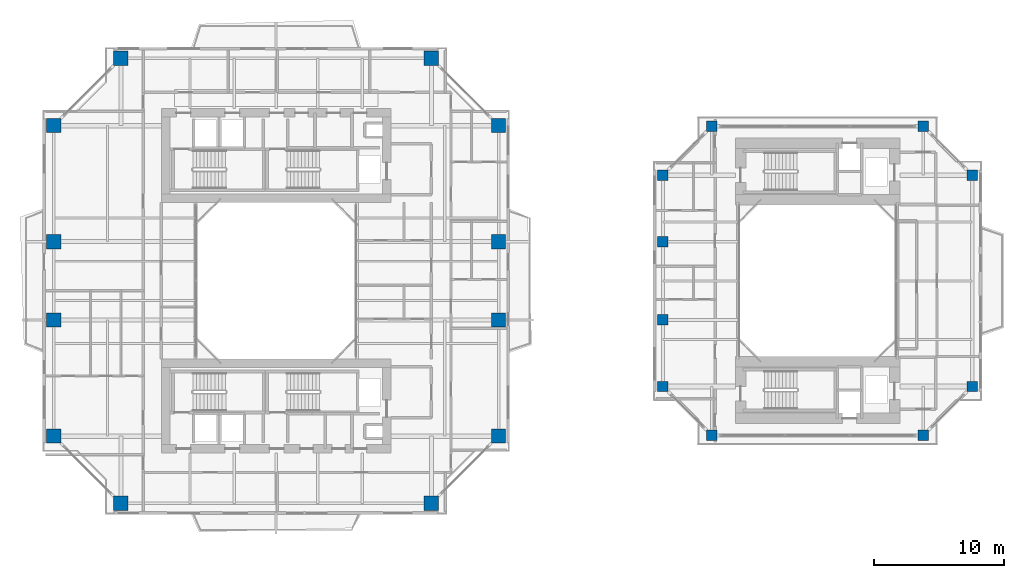
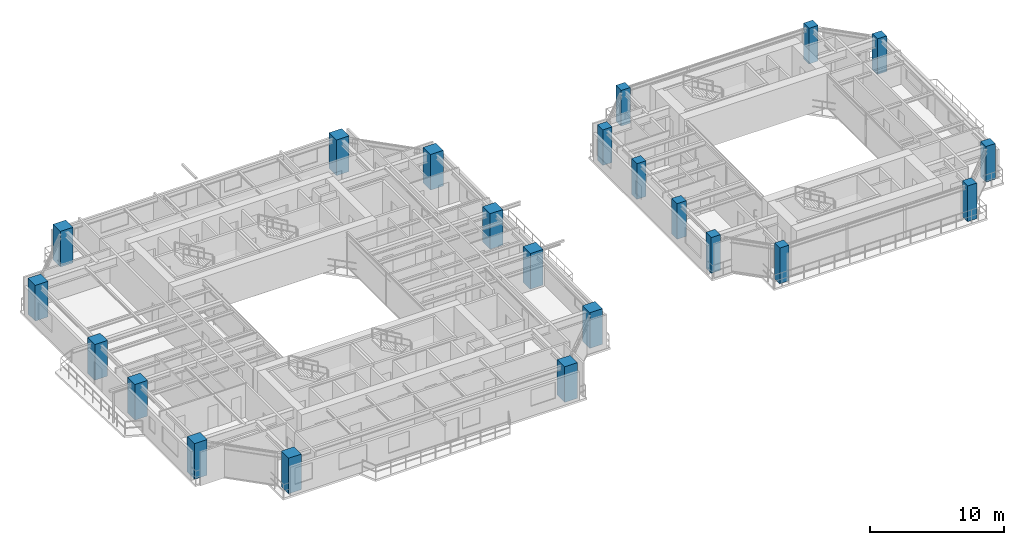
# One storey, part 1 of 23: 22 columns.
"""IFC4 building model written with IfcOpenShell, lengths in metres."""

from ifc_helpers import new_model, si_unit, direction, frame, origin, origin_2d, place, context, subcontext, project, spatial, rectangle, extrude, source, transform, mapped, material, material_profile, profile_set, type_object, element, save


model = new_model("IFC4")

# Units and contexts
model_context = context("Model", 3, precision=1e-05, world=origin(), true_north=direction((0.0, 1.0)))
body_context = subcontext(model_context, "Body", "Model", "MODEL_VIEW")
ifc_project = project(units=[si_unit("LENGTHUNIT", "METRE"), si_unit("AREAUNIT", "SQUARE_METRE"), si_unit("VOLUMEUNIT", "CUBIC_METRE"), si_unit("PLANEANGLEUNIT", "RADIAN"), si_unit("MASSUNIT", "GRAM", prefix="KILO"), si_unit("THERMODYNAMICTEMPERATUREUNIT", "KELVIN"), si_unit("POWERUNIT", "WATT")], contexts=[model_context])

# Site, building, storey
site_placement = place(None, origin())
site = spatial("IfcSite", under=ifc_project, at=site_placement, CompositionType="ELEMENT")
building_placement = place(site_placement, origin())
building = spatial("IfcBuilding", under=site, at=building_placement, Name="Qiaomeng Ring Towers", CompositionType="ELEMENT")
storey_placement = place(building_placement, frame((0.0, 0.0, 100.25)))
storey = spatial("IfcBuildingStorey", under=building, at=storey_placement, Name="L28", CompositionType="ELEMENT", Elevation=100.25)

# Columns
ifc_material = material(Name="Concrete C55", Category="concrete")
ifc_material_profile_1 = material_profile(ifc_material, rectangle(XDim=0.800048828125, YDim=0.800048828125, at=origin_2d()), Name="RC COL 800x800")
ifc_profile_set_1 = profile_set([ifc_material_profile_1], Name="Concrete C55")
column_type_1 = type_object("IfcColumnType", Name="STR-COL-800-C55", PredefinedType="COLUMN", material=ifc_profile_set_1)
shared_shape_1 = source(origin(), body_context, "Body", "SweptSolid", [
    extrude(rectangle(XDim=0.800048828125, YDim=0.800048828125, at=origin_2d()), origin(), (0.0, 0.0, 1.0), 3.25),
])
for number, where, z_axis, x_axis, name in (
    (1, (52.39990234375, 11.14990234375, 0.0), (0.0, 0.0, 1.0), (1.0, 0.0, 0.0), "L28 column STR-COL-L28-T2-S1"),
    (2, (68.60009765625, 11.14990234375, 0.0), (0.0, 0.0, 1.0), (1.0, 0.0, 0.0), "L28 column STR-COL-L28-T2-S2"),
    (3, (72.35009765625, 14.89990234375, 0.0), (0.0, 0.0, 1.0), (1.0, 0.0, 0.0), "L28 column STR-COL-L28-T2-E1"),
    (4, (72.35009765625, 31.10009765625, 0.0), (0.0, 0.0, 1.0), (1.0, 0.0, 0.0), "L28 column STR-COL-L28-T2-E2"),
    (5, (68.60009765625, 34.85009765625, 0.0), (0.0, 0.0, 1.0), (1.0, 0.0, 0.0), "L28 column STR-COL-L28-T2-N2"),
    (6, (52.39990234375, 34.85009765625, 0.0), (0.0, 0.0, 1.0), (1.0, 0.0, 0.0), "L28 column STR-COL-L28-T2-N1"),
    (7, (48.64990234375, 14.89990234375, 0.0), (0.0, 0.0, 1.0), (1.0, 0.0, 0.0), "L28 column STR-COL-L28-T2-W1"),
    (8, (48.64990234375, 20.0, 0.0), (0.0, 0.0, 1.0), (1.0, 0.0, 0.0), "L28 column STR-COL-L28-T2-W2"),
    (9, (48.64990234375, 26.0, 0.0), (0.0, 0.0, 1.0), (1.0, 0.0, 0.0), "L28 column STR-COL-L28-T2-W3"),
    (10, (48.64990234375, 31.10009765625, 0.0), (0.0, 0.0, 1.0), (1.0, 0.0, 0.0), "L28 column STR-COL-L28-T2-W4"),
):
    element("IfcColumn", number, at=place(storey_placement, frame(where, z_axis=z_axis, x_axis=x_axis)), inside=storey, type_object=column_type_1, Name=name, PredefinedType="COLUMN", context=body_context, shape_type="MappedRepresentation", body=[
        mapped(shared_shape_1, transform((0.0, 0.0, 0.0), x_axis=(1.0, 0.0, 0.0), y_axis=(0.0, 1.0, 0.0), z_axis=(0.0, 0.0, 1.0), scale=1.0)),
    ])
ifc_material_profile_2 = material_profile(ifc_material, rectangle(XDim=1.10009765625, YDim=1.10009765625, at=origin_2d()), Name="RC COL 1100x1100")
ifc_profile_set_2 = profile_set([ifc_material_profile_2], Name="Concrete C55")
column_type_2 = type_object("IfcColumnType", Name="STR-COL-1100-C55", PredefinedType="COLUMN", material=ifc_profile_set_2)
shared_shape_2 = source(origin(), body_context, "Body", "SweptSolid", [
    extrude(rectangle(XDim=1.10009765625, YDim=1.10009765625, at=origin_2d()), origin(), (0.0, 0.0, 1.0), 3.25),
])
for number, where, z_axis, x_axis, name in (
    (11, (7.10009765625, 5.949951171875, 0.0), (0.0, 0.0, 1.0), (1.0, 0.0, 0.0), "L28 column STR-COL-L28-T1-S1"),
    (12, (30.89990234375, 5.949951171875, 0.0), (0.0, 0.0, 1.0), (1.0, 0.0, 0.0), "L28 column STR-COL-L28-T1-S2"),
    (13, (36.050048828125, 11.10009765625, 0.0), (0.0, 0.0, 1.0), (1.0, 0.0, 0.0), "L28 column STR-COL-L28-T1-E1"),
    (14, (36.050048828125, 20.0, 0.0), (0.0, 0.0, 1.0), (1.0, 0.0, 0.0), "L28 column STR-COL-L28-T1-E2"),
    (15, (36.050048828125, 26.0, 0.0), (0.0, 0.0, 1.0), (1.0, 0.0, 0.0), "L28 column STR-COL-L28-T1-E3"),
    (16, (36.050048828125, 34.89990234375, 0.0), (0.0, 0.0, 1.0), (1.0, 0.0, 0.0), "L28 column STR-COL-L28-T1-E4"),
    (17, (30.89990234375, 40.050048828125, 0.0), (0.0, 0.0, 1.0), (1.0, 0.0, 0.0), "L28 column STR-COL-L28-T1-N2"),
    (18, (7.10009765625, 40.050048828125, 0.0), (0.0, 0.0, 1.0), (1.0, 0.0, 0.0), "L28 column STR-COL-L28-T1-N1"),
    (19, (1.949951171875, 34.89990234375, 0.0), (0.0, 0.0, 1.0), (1.0, 0.0, 0.0), "L28 column STR-COL-L28-T1-W4"),
    (20, (1.949951171875, 26.0, 0.0), (0.0, 0.0, 1.0), (1.0, 0.0, 0.0), "L28 column STR-COL-L28-T1-W3"),
    (21, (1.949951171875, 20.0, 0.0), (0.0, 0.0, 1.0), (1.0, 0.0, 0.0), "L28 column STR-COL-L28-T1-W2"),
    (22, (1.949951171875, 11.10009765625, 0.0), (0.0, 0.0, 1.0), (1.0, 0.0, 0.0), "L28 column STR-COL-L28-T1-W1"),
):
    element("IfcColumn", number, at=place(storey_placement, frame(where, z_axis=z_axis, x_axis=x_axis)), inside=storey, type_object=column_type_2, Name=name, PredefinedType="COLUMN", context=body_context, shape_type="MappedRepresentation", body=[
        mapped(shared_shape_2, transform((0.0, 0.0, 0.0), x_axis=(1.0, 0.0, 0.0), y_axis=(0.0, 1.0, 0.0), z_axis=(0.0, 0.0, 1.0), scale=1.0)),
    ])

save(model, "model.ifc")
